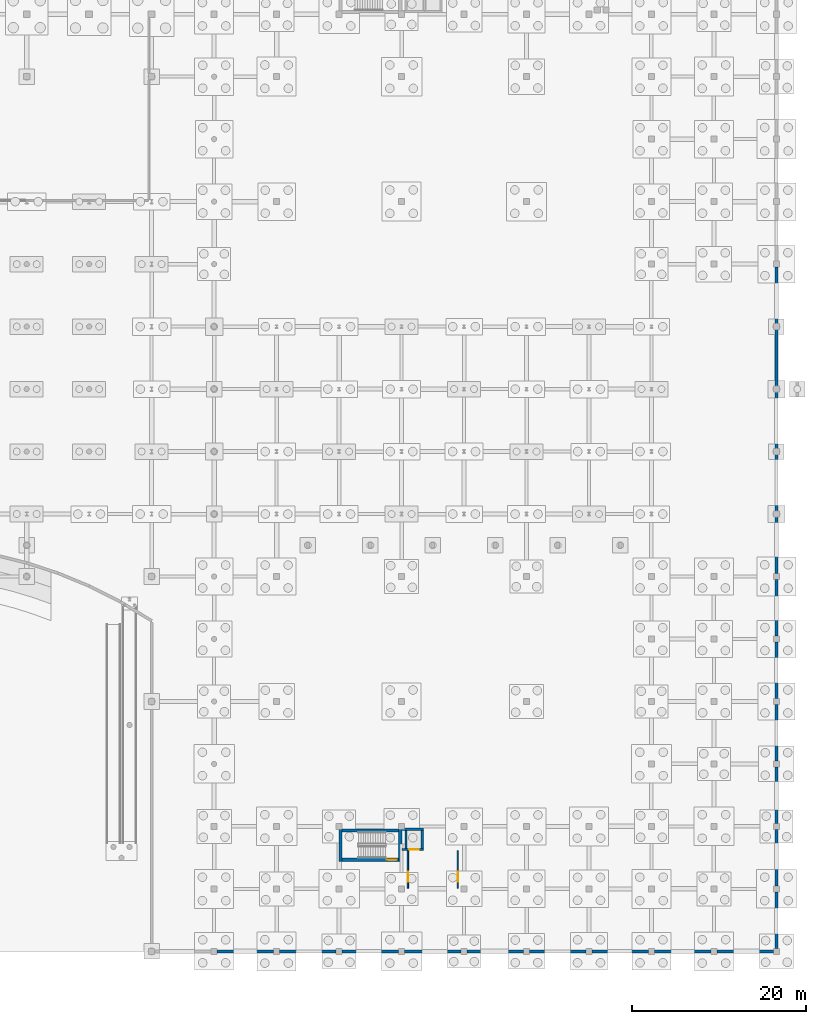
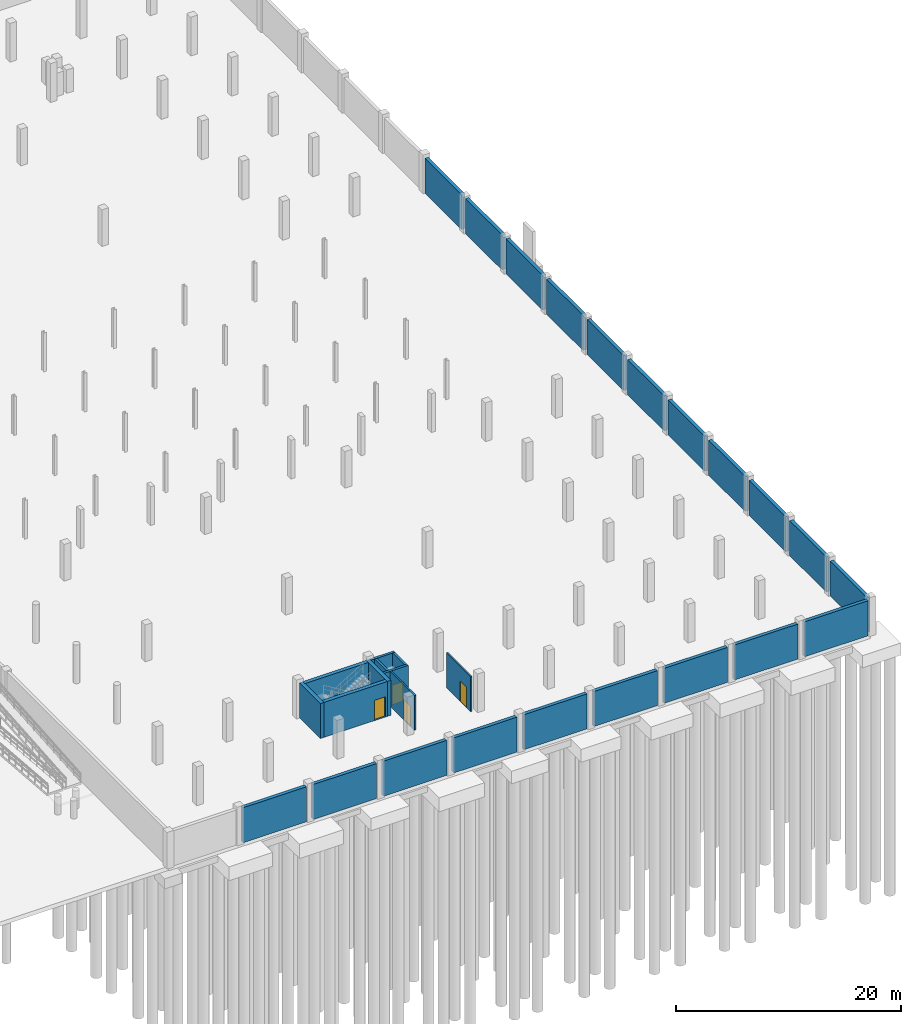
# One storey, part 45 of 56: 30 walls, 4 doors, 4 openings.
"""IFC4 building model written with IfcOpenShell, lengths in metres."""

from ifc_helpers import new_model, si_unit, direction, frame, frame_2d, origin, place, context, subcontext, project, spatial, rectangle, extrude, material, layer, layer_set, type_object, element, fill, save


model = new_model("IFC4")

# Units and contexts
model_context = context("Model", 3, precision=1e-05, world=origin(), true_north=direction((0.0, 1.0)))
body_context = subcontext(model_context, "Body", "Model", "MODEL_VIEW")
ifc_project = project(units=[si_unit("LENGTHUNIT", "METRE"), si_unit("AREAUNIT", "SQUARE_METRE"), si_unit("VOLUMEUNIT", "CUBIC_METRE"), si_unit("PLANEANGLEUNIT", "RADIAN"), si_unit("MASSUNIT", "GRAM", prefix="KILO")], contexts=[model_context])

# Site, building, storey
site_placement = place(None, origin())
site = spatial("IfcSite", under=ifc_project, at=site_placement, CompositionType="ELEMENT")
building_placement = place(site_placement, origin())
building = spatial("IfcBuilding", under=site, at=building_placement, Name="Suanplinth Sawtooth Commons", CompositionType="ELEMENT")
storey_placement = place(building_placement, frame((0.0, 0.0, -4.199951171875)))
storey = spatial("IfcBuildingStorey", under=building, at=storey_placement, Name="B1", CompositionType="ELEMENT", Elevation=-4.199951171875)

# Wall, opening, door
ifc_material_1 = material(Name="Concrete C40/50", Category="concrete")
ifc_layer_1 = layer(ifc_material_1, 0.3798828125, Name="Lower high-rise RC core shear wall 380mm")
ifc_layer_set_1 = layer_set([ifc_layer_1], Name="Concrete C40/50")
wall_type_1 = type_object("IfcWallType", Name="W-CR01", PredefinedType="SHEAR", material=ifc_layer_set_1)
wall_1_placement = place(storey_placement, frame((137.14990234375, 10.56005859375, 0.0), z_axis=(0.0, 0.0, 1.0), x_axis=(1.0, 0.0, 0.0)))
wall_1 = element("IfcWall", 1, at=wall_1_placement, inside=storey, type_object=wall_type_1, Name="W-B1-C-C1-STS", PredefinedType="SHEAR", context=body_context, shape_type="SweptSolid", body=[
    extrude(rectangle(XDim=6.5, YDim=0.3798828125, at=frame_2d((3.25, 0.0))), origin(), (0.0, 0.0, 1.0), 3.7900390625),
])
opening_1_placement = place(wall_1_placement, frame((5.169921875, 0.0, 0.0)))
opening_1 = element("IfcOpeningElement", 2, at=opening_1_placement, cuts=wall_1, Name="Opening FD0276", PredefinedType="OPENING", context=body_context, shape_type="SweptSolid", body=[
    extrude(rectangle(XDim=1.14990234375, YDim=2.199951171875, at=frame_2d((0.574951171875, 1.10009765625))), frame((0.0, 0.204833984375, 0.0), z_axis=(0.0, -1.0, 0.0), x_axis=(1.0, 0.0, 0.0)), (0.0, 0.0, 1.0), 0.40966796875),
])
ifc_material_2 = material(Name="Teak hardwood fire-rated door assembly", Category="wood")
door_type_1 = type_object("IfcDoorType", Name="FD-01", OperationType="NOTDEFINED", PredefinedType="DOOR", material=ifc_material_2)
door_1_placement = place(opening_1_placement, origin())
door_1 = element("IfcDoor", 3, at=door_1_placement, inside=storey, type_object=door_type_1, Name="Exit Stair Fire Door FD0276", OperationType="SINGLE_SWING_LEFT", OverallHeight=2.199951171875, OverallWidth=1.14990234375, PredefinedType="DOOR", context=body_context, shape_type="SweptSolid", body=[
    extrude(rectangle(XDim=1.14990234375, YDim=2.199951171875, at=frame_2d((0.574951171875, 1.10009765625))), frame((0.0, 0.02490234375, 0.0), z_axis=(0.0, -1.0, 0.0), x_axis=(1.0, 0.0, 0.0)), (0.0, 0.0, 1.0), 0.050048828125),
])
fill(opening_1, door_1)

# Walls
wall_2_placement = place(storey_placement, frame((137.14990234375, 13.93994140625, 0.0), z_axis=(0.0, 0.0, 1.0), x_axis=(1.0, 0.0, 0.0)))
element("IfcWall", 4, at=wall_2_placement, inside=storey, type_object=wall_type_1, Name="W-B1-C-C1-STN", PredefinedType="SHEAR", context=body_context, shape_type="SweptSolid", body=[
    extrude(rectangle(XDim=6.5, YDim=0.3798828125, at=frame_2d((3.25, 0.0))), origin(), (0.0, 0.0, 1.0), 3.7900390625),
])
wall_3_placement = place(storey_placement, frame((136.9599609375, 10.3701171875, 0.0), z_axis=(0.0, 0.0, 1.0), x_axis=(0.0, 1.0, 0.0)))
element("IfcWall", 5, at=wall_3_placement, inside=storey, type_object=wall_type_1, Name="W-B1-C-C1-STW", PredefinedType="SHEAR", context=body_context, shape_type="SweptSolid", body=[
    extrude(rectangle(XDim=3.759765625, YDim=0.3798828125, at=frame_2d((1.8798828125, 0.0))), origin(), (0.0, 0.0, 1.0), 3.7900390625),
])
wall_4_placement = place(storey_placement, frame((143.840087890625, 10.3701171875, 0.0), z_axis=(0.0, 0.0, 1.0), x_axis=(0.0, 1.0, 0.0)))
element("IfcWall", 6, at=wall_4_placement, inside=storey, type_object=wall_type_1, Name="W-B1-C-C1-STE", PredefinedType="SHEAR", context=body_context, shape_type="SweptSolid", body=[
    extrude(rectangle(XDim=3.829833984375, YDim=0.3798828125, at=frame_2d((1.9150390625, 0.0))), origin(), (0.0, 0.0, 1.0), 3.7900390625),
])

# Wall, opening, door
ifc_material_3 = material(Name="Precast concrete C40/50", Category="concrete")
ifc_layer_2 = layer(ifc_material_3, 0.159912109375, Name="Fire-rated corridor and lobby wall 160mm")
ifc_layer_set_2 = layer_set([ifc_layer_2], Name="Precast concrete C40/50")
wall_type_2 = type_object("IfcWallType", Name="W-FW01", PredefinedType="PARTITIONING", material=ifc_layer_set_2)
wall_5_placement = place(storey_placement, frame((144.719970703125, 7.280029296875, 0.0), z_axis=(0.0, 0.0, 1.0), x_axis=(0.0, 1.0, 0.0)))
wall_5 = element("IfcWall", 7, at=wall_5_placement, inside=storey, type_object=wall_type_2, Name="W-B1-C-C1-LOB-W", PredefinedType="PARTITIONING", context=body_context, shape_type="SweptSolid", body=[
    extrude(rectangle(XDim=4.320068359375, YDim=0.159912109375, at=frame_2d((2.16015625, 0.0))), origin(), (0.0, 0.0, 1.0), 3.7900390625),
])
opening_2_placement = place(wall_5_placement, frame((0.719970703125, 0.0, 0.0)))
opening_2 = element("IfcOpeningElement", 8, at=opening_2_placement, cuts=wall_5, Name="Opening FD0277", PredefinedType="OPENING", context=body_context, shape_type="SweptSolid", body=[
    extrude(rectangle(XDim=1.199951171875, YDim=2.199951171875, at=frame_2d((0.60009765625, 1.10009765625))), frame((0.0, 0.0947265625, 0.0), z_axis=(0.0, -1.0, 0.0), x_axis=(1.0, 0.0, 0.0)), (0.0, 0.0, 1.0), 0.189697265625),
])
door_type_2 = type_object("IfcDoorType", Name="FD-02", OperationType="NOTDEFINED", PredefinedType="DOOR", material=ifc_material_2)
door_2_placement = place(opening_2_placement, origin())
door_2 = element("IfcDoor", 9, at=door_2_placement, inside=storey, type_object=door_type_2, Name="Lobby Fire Door FD0277", OperationType="SINGLE_SWING_RIGHT", OverallHeight=2.199951171875, OverallWidth=1.199951171875, PredefinedType="DOOR", context=body_context, shape_type="SweptSolid", body=[
    extrude(rectangle(XDim=1.199951171875, YDim=2.199951171875, at=frame_2d((0.60009765625, 1.10009765625))), frame((0.0, 0.02490234375, 0.0), z_axis=(0.0, -1.0, 0.0), x_axis=(1.0, 0.0, 0.0)), (0.0, 0.0, 1.0), 0.050048828125),
])
fill(opening_2, door_2)

wall_6_placement = place(storey_placement, frame((150.47998046875, 7.280029296875, 0.0), z_axis=(0.0, 0.0, 1.0), x_axis=(0.0, 1.0, 0.0)))
wall_6 = element("IfcWall", 10, at=wall_6_placement, inside=storey, type_object=wall_type_2, Name="W-B1-C-C1-LOB-E", PredefinedType="PARTITIONING", context=body_context, shape_type="SweptSolid", body=[
    extrude(rectangle(XDim=4.320068359375, YDim=0.159912109375, at=frame_2d((2.16015625, 0.0))), origin(), (0.0, 0.0, 1.0), 3.7900390625),
])
opening_3_placement = place(wall_6_placement, frame((0.719970703125, 0.0, 0.0)))
opening_3 = element("IfcOpeningElement", 11, at=opening_3_placement, cuts=wall_6, Name="Opening FD0278", PredefinedType="OPENING", context=body_context, shape_type="SweptSolid", body=[
    extrude(rectangle(XDim=1.199951171875, YDim=2.199951171875, at=frame_2d((0.60009765625, 1.10009765625))), frame((0.0, 0.0947265625, 0.0), z_axis=(0.0, -1.0, 0.0), x_axis=(1.0, 0.0, 0.0)), (0.0, 0.0, 1.0), 0.189697265625),
])
door_3_placement = place(opening_3_placement, frame((1.199951171875, 0.0, 0.0), z_axis=(0.0, 0.0, 1.0), x_axis=(-1.0, 0.0, 0.0)))
door_3 = element("IfcDoor", 12, at=door_3_placement, inside=storey, type_object=door_type_2, Name="Lobby Fire Door FD0278", OperationType="SINGLE_SWING_LEFT", OverallHeight=2.199951171875, OverallWidth=1.199951171875, PredefinedType="DOOR", context=body_context, shape_type="SweptSolid", body=[
    extrude(rectangle(XDim=1.199951171875, YDim=2.199951171875, at=frame_2d((0.60009765625, 1.10009765625))), frame((0.0, 0.02490234375, 0.0), z_axis=(0.0, -1.0, 0.0), x_axis=(1.0, 0.0, 0.0)), (0.0, 0.0, 1.0), 0.050048828125),
])
fill(opening_3, door_3)

# Walls
ifc_material_4 = material(Name="Concrete C35/45", Category="concrete")
ifc_layer_3 = layer(ifc_material_4, 0.35009765625, Name="Basement perimeter RC retaining wall 350mm")
ifc_layer_set_3 = layer_set([ifc_layer_3], Name="Concrete C35/45")
wall_type_3 = type_object("IfcWallType", Name="W-RT01", PredefinedType="SOLIDWALL", material=ifc_layer_set_3)
for number, where, z_axis, x_axis, name in (
    (13, (122.75, 0.0, 0.0), (0.0, 0.0, 1.0), (1.0, 0.0, 0.0), "Basement South Plinth Retaining Wall Bay 18"),
    (14, (129.949951171875, 0.0, 0.0), (0.0, 0.0, 1.0), (1.0, 0.0, 0.0), "Basement South Plinth Retaining Wall Bay 19"),
    (15, (137.14990234375, 0.0, 0.0), (0.0, 0.0, 1.0), (1.0, 0.0, 0.0), "Basement South Plinth Retaining Wall Bay 20"),
    (16, (144.35009765625, 0.0, 0.0), (0.0, 0.0, 1.0), (1.0, 0.0, 0.0), "Basement South Plinth Retaining Wall Bay 21"),
    (17, (151.550048828125, 0.0, 0.0), (0.0, 0.0, 1.0), (1.0, 0.0, 0.0), "Basement South Plinth Retaining Wall Bay 22"),
    (18, (158.75, 0.0, 0.0), (0.0, 0.0, 1.0), (1.0, 0.0, 0.0), "Basement South Plinth Retaining Wall Bay 23"),
    (19, (165.949951171875, 0.0, 0.0), (0.0, 0.0, 1.0), (1.0, 0.0, 0.0), "Basement South Plinth Retaining Wall Bay 24"),
    (20, (173.14990234375, 0.0, 0.0), (0.0, 0.0, 1.0), (1.0, 0.0, 0.0), "Basement South Plinth Retaining Wall Bay 25"),
    (21, (180.35009765625, 0.0, 0.0), (0.0, 0.0, 1.0), (1.0, 0.0, 0.0), "Basement South Plinth Retaining Wall Bay 26"),
    (22, (187.199951171875, 0.35009765625, 0.0), (0.0, 0.0, 1.0), (0.0, 1.0, 0.0), "Basement East Plinth Retaining Wall Bay 1"),
    (23, (187.199951171875, 7.550048828125, 0.0), (0.0, 0.0, 1.0), (0.0, 1.0, 0.0), "Basement East Plinth Retaining Wall Bay 2"),
    (24, (187.199951171875, 14.75, 0.0), (0.0, 0.0, 1.0), (0.0, 1.0, 0.0), "Basement East Plinth Retaining Wall Bay 3"),
    (25, (187.199951171875, 21.949951171875, 0.0), (0.0, 0.0, 1.0), (0.0, 1.0, 0.0), "Basement East Plinth Retaining Wall Bay 4"),
    (26, (187.199951171875, 29.14990234375, 0.0), (0.0, 0.0, 1.0), (0.0, 1.0, 0.0), "Basement East Plinth Retaining Wall Bay 5"),
    (27, (187.199951171875, 36.35009765625, 0.0), (0.0, 0.0, 1.0), (0.0, 1.0, 0.0), "Basement East Plinth Retaining Wall Bay 6"),
    (28, (187.199951171875, 43.550048828125, 0.0), (0.0, 0.0, 1.0), (0.0, 1.0, 0.0), "Basement East Plinth Retaining Wall Bay 7"),
    (29, (187.199951171875, 50.75, 0.0), (0.0, 0.0, 1.0), (0.0, 1.0, 0.0), "Basement East Plinth Retaining Wall Bay 8"),
    (30, (187.199951171875, 57.949951171875, 0.0), (0.0, 0.0, 1.0), (0.0, 1.0, 0.0), "Basement East Plinth Retaining Wall Bay 9"),
    (31, (187.199951171875, 65.14990234375, 0.0), (0.0, 0.0, 1.0), (0.0, 1.0, 0.0), "Basement East Plinth Retaining Wall Bay 10"),
    (32, (187.199951171875, 72.35009765625, 0.0), (0.0, 0.0, 1.0), (0.0, 1.0, 0.0), "Basement East Plinth Retaining Wall Bay 11"),
):
    element("IfcWall", number, at=place(storey_placement, frame(where, z_axis=z_axis, x_axis=x_axis)), inside=storey, type_object=wall_type_3, Name=name, PredefinedType="SOLIDWALL", context=body_context, shape_type="SweptSolid", body=[
        extrude(rectangle(XDim=6.5, YDim=0.35009765625, at=frame_2d((3.25, 0.0))), origin(), (0.0, 0.0, 1.0), 3.800048828125),
    ])

# Wall, opening, door
ifc_layer_4 = layer(ifc_material_3, 0.25, Name="Precast structural shear wall 250mm")
ifc_layer_set_4 = layer_set([ifc_layer_4], Name="Precast concrete C40/50")
wall_type_4 = type_object("IfcWallType", Name="W-SH01", PredefinedType="SHEAR", material=ifc_layer_set_4)
wall_7_placement = place(storey_placement, frame((144.030029296875, 11.72509765625, 0.0), z_axis=(0.0, 0.0, 1.0), x_axis=(1.0, 0.0, 0.0)))
wall_7 = element("IfcWall", 33, at=wall_7_placement, inside=storey, type_object=wall_type_4, Name="W-B1-LF5-S", PredefinedType="SHEAR", context=body_context, shape_type="SweptSolid", body=[
    extrude(rectangle(XDim=2.469970703125, YDim=0.25, at=frame_2d((1.23486328125, 0.0))), origin(), (0.0, 0.0, 1.0), 3.7900390625),
])
opening_4_placement = place(wall_7_placement, frame((0.8701171875, 0.0, 0.0)))
opening_4 = element("IfcOpeningElement", 34, at=opening_4_placement, cuts=wall_7, Name="Opening LD0279", PredefinedType="OPENING", context=body_context, shape_type="SweptSolid", body=[
    extrude(rectangle(XDim=1.10009765625, YDim=2.14990234375, at=frame_2d((0.550048828125, 1.074951171875))), frame((0.0, 0.139892578125, 0.0), z_axis=(0.0, -1.0, 0.0), x_axis=(1.0, 0.0, 0.0)), (0.0, 0.0, 1.0), 0.27978515625),
])
ifc_material_5 = material(Name="Stainless steel Grade 304", Category="steel")
door_type_3 = type_object("IfcDoorType", Name="LD-01", OperationType="SLIDING_TO_LEFT", PredefinedType="DOOR", material=ifc_material_5)
door_4_placement = place(opening_4_placement, frame((1.10009765625, 0.0, 0.0), z_axis=(0.0, 0.0, 1.0), x_axis=(-1.0, 0.0, 0.0)))
door_4 = element("IfcDoor", 35, at=door_4_placement, inside=storey, type_object=door_type_3, Name="Lift Landing Sliding Door LF5 B1", OperationType="SLIDING_TO_LEFT", OverallHeight=2.14990234375, OverallWidth=1.10009765625, PredefinedType="DOOR", context=body_context, shape_type="SweptSolid", body=[
    extrude(rectangle(XDim=1.10009765625, YDim=2.14990234375, at=frame_2d((0.550048828125, 1.074951171875))), frame((0.0, 0.02490234375, 0.0), z_axis=(0.0, -1.0, 0.0), x_axis=(1.0, 0.0, 0.0)), (0.0, 0.0, 1.0), 0.050048828125),
])
fill(opening_4, door_4)

# Walls
wall_8_placement = place(storey_placement, frame((144.030029296875, 14.074951171875, 0.0), z_axis=(0.0, 0.0, 1.0), x_axis=(1.0, 0.0, 0.0)))
element("IfcWall", 36, at=wall_8_placement, inside=storey, type_object=wall_type_4, Name="W-B1-LF5-N", PredefinedType="SHEAR", context=body_context, shape_type="SweptSolid", body=[
    extrude(rectangle(XDim=2.469970703125, YDim=0.25, at=frame_2d((1.23486328125, 0.0))), origin(), (0.0, 0.0, 1.0), 3.7900390625),
])
for number, where, z_axis, x_axis, name in (
    (37, (144.52490234375, 11.85009765625, 0.0), (0.0, 0.0, 1.0), (0.0, 1.0, 0.0), "W-B1-LF5-W"),
    (38, (146.375, 11.85009765625, 0.0), (0.0, 0.0, 1.0), (0.0, 1.0, 0.0), "W-B1-LF5-E"),
):
    element("IfcWall", number, at=place(storey_placement, frame(where, z_axis=z_axis, x_axis=x_axis)), inside=storey, type_object=wall_type_4, Name=name, PredefinedType="SHEAR", context=body_context, shape_type="SweptSolid", body=[
        extrude(rectangle(XDim=2.099853515625, YDim=0.25, at=frame_2d((1.0498046875, 0.0))), origin(), (0.0, 0.0, 1.0), 3.7900390625),
    ])

save(model, "model.ifc")
